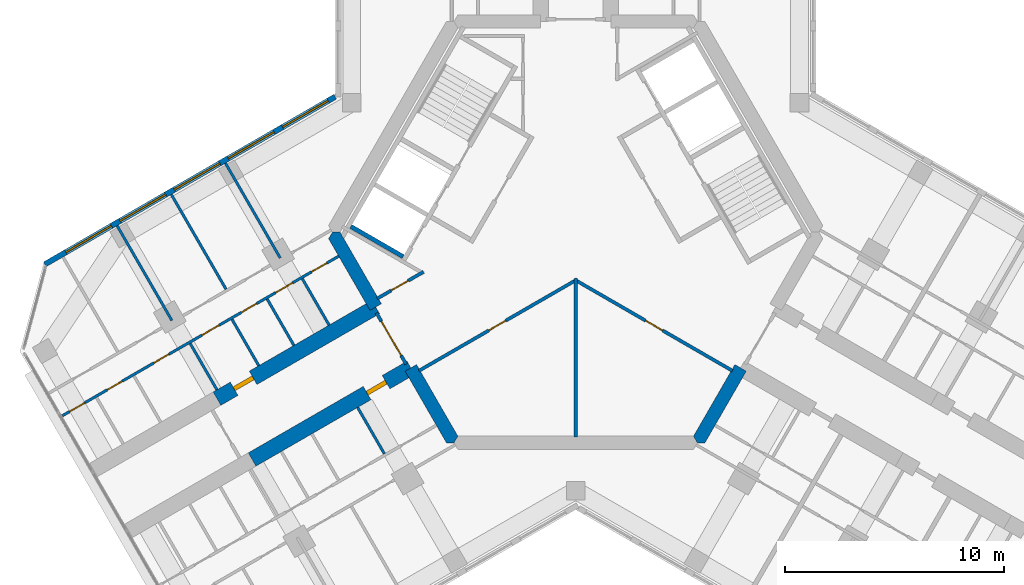
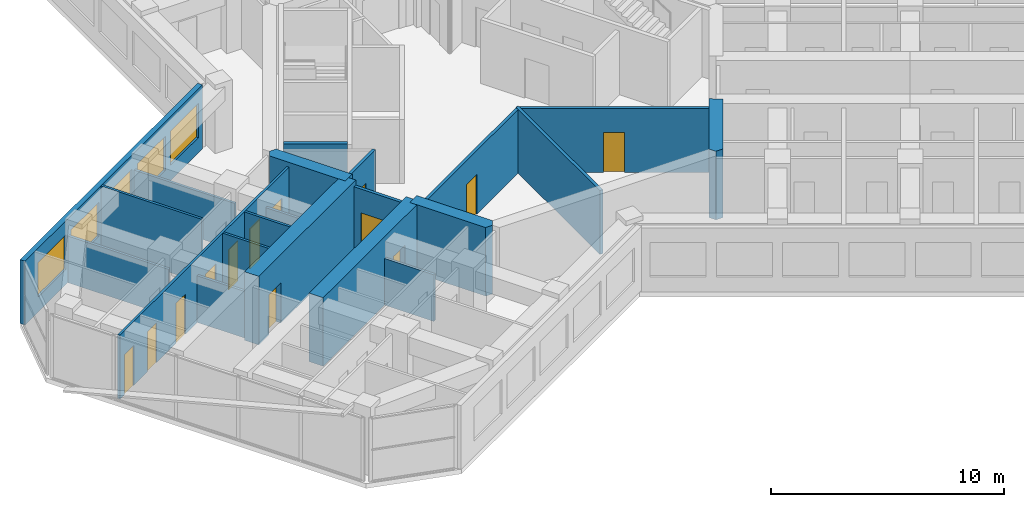
# One storey, part 9 of 16: 21 walls, 13 doors, 5 windows, 18 openings.
"""IFC4 building model written with IfcOpenShell, lengths in metres."""

from ifc_helpers import new_model, si_unit, direction, frame, frame_2d, origin, place, context, subcontext, project, spatial, polyline, rectangle, outline, extrude, material, layer, layer_set, type_object, element, fill, save


model = new_model("IFC4")

# Units and contexts
model_context = context("Model", 3, precision=1e-05, world=origin(), true_north=direction((0.0, 1.0)))
body_context = subcontext(model_context, "Body", "Model", "MODEL_VIEW")
ifc_project = project(units=[si_unit("LENGTHUNIT", "METRE"), si_unit("AREAUNIT", "SQUARE_METRE"), si_unit("VOLUMEUNIT", "CUBIC_METRE"), si_unit("PLANEANGLEUNIT", "RADIAN"), si_unit("MASSUNIT", "GRAM", prefix="KILO")], contexts=[model_context])

# Site, building, storey
site_placement = place(None, origin())
site = spatial("IfcSite", under=ifc_project, at=site_placement, CompositionType="ELEMENT")
building_placement = place(site_placement, origin())
building = spatial("IfcBuilding", under=site, at=building_placement, Name="Kosmar Iwan School Tower", CompositionType="ELEMENT")
storey_placement = place(building_placement, frame((0.0, 0.0, 253.199951171875)))
storey = spatial("IfcBuildingStorey", under=building, at=storey_placement, Name="L64", CompositionType="ELEMENT", Elevation=253.199951171875)

# Wall
ifc_material_1 = material(Name="Gypsum board on steel studs, fire-rated", Category="steel")
ifc_layer_1 = layer(ifc_material_1, 0.14990234375)
ifc_layer_set_1 = layer_set([ifc_layer_1], Name="Core room partition 150")
wall_type_1 = type_object("IfcWallType", Name="Core room partition 150", PredefinedType="PARTITIONING", material=ifc_layer_set_1)
wall_1_placement = place(storey_placement, frame((0.0, -9.344970703125, 0.0), z_axis=(0.0, 0.0, 1.0), x_axis=(0.0, 1.0, 0.0)))
element("IfcWall", 1, at=wall_1_placement, inside=storey, type_object=wall_type_1, Name="Core room partition L64-CW5", PredefinedType="PARTITIONING", context=body_context, shape_type="SweptSolid", body=[
    extrude(rectangle(XDim=7.22607421875, YDim=0.14990234375, at=frame_2d((3.613037109375, 0.0))), origin(), (0.0, 0.0, 1.0), 3.35009765625),
])

# Wall, opening, door
wall_2_placement = place(storey_placement, frame((-0.06494140625, -2.156494140625, 0.0), z_axis=(0.0, 0.0, 1.0), x_axis=(0.866034159509, -0.499984834333, 0.0)))
wall_2 = element("IfcWall", 2, at=wall_2_placement, inside=storey, type_object=wall_type_1, Name="Core room partition L64-CW6", PredefinedType="PARTITIONING", context=body_context, shape_type="SweptSolid", body=[
    extrude(rectangle(XDim=8.322998046875, YDim=0.14990234375, at=frame_2d((4.16162109375, 0.0))), origin(), (0.0, 0.0, 1.0), 3.35009765625),
])
opening_1_placement = place(wall_2_placement, frame((3.7470703125, 0.0, 0.0)))
opening_1 = element("IfcOpeningElement", 3, at=opening_1_placement, cuts=wall_2, Name="Opening D14", PredefinedType="OPENING", context=body_context, shape_type="SweptSolid", body=[
    extrude(rectangle(XDim=0.89990234375, YDim=2.10009765625, at=frame_2d((0.449951171875, 1.050048828125))), frame((0.0, 0.0869140625, 0.0), z_axis=(0.0, -1.0, 0.0), x_axis=(1.0, 0.0, 0.0)), (0.0, 0.0, 1.0), 0.173828125),
])
ifc_material_2 = material(Name="Timber fire door in steel frame", Category="steel")
door_type_1 = type_object("IfcDoorType", Name="Core room door 900x2100", OperationType="SINGLE_SWING_LEFT", PredefinedType="DOOR", material=ifc_material_2)
door_1_placement = place(opening_1_placement, origin())
door_1 = element("IfcDoor", 4, at=door_1_placement, inside=storey, type_object=door_type_1, Name="Refuse and recycling room door L64 3", OperationType="SINGLE_SWING_RIGHT", OverallHeight=2.10009765625, OverallWidth=0.89990234375, PredefinedType="DOOR", context=body_context, shape_type="SweptSolid", body=[
    extrude(rectangle(XDim=0.89990234375, YDim=2.10009765625, at=frame_2d((0.449951171875, 1.050048828125))), frame((0.0, 0.02490234375, 0.0), z_axis=(0.0, -1.0, 0.0), x_axis=(1.0, 0.0, 0.0)), (0.0, 0.0, 1.0), 0.050048828125),
])
fill(opening_1, door_1)

wall_3_placement = place(storey_placement, frame((-7.14306640625, -6.31787109375, 0.0), z_axis=(0.0, 0.0, 1.0), x_axis=(0.866034159509, 0.499984834333, 0.0)))
wall_3 = element("IfcWall", 5, at=wall_3_placement, inside=storey, type_object=wall_type_1, Name="Core room partition L64-CW7", PredefinedType="PARTITIONING", context=body_context, shape_type="SweptSolid", body=[
    extrude(rectangle(XDim=8.322998046875, YDim=0.14990234375, at=frame_2d((4.16162109375, 0.0))), origin(), (0.0, 0.0, 1.0), 3.35009765625),
])
opening_2_placement = place(wall_3_placement, frame((3.677001953125, 0.0, 0.0)))
opening_2 = element("IfcOpeningElement", 6, at=opening_2_placement, cuts=wall_3, Name="Opening D14", PredefinedType="OPENING", context=body_context, shape_type="SweptSolid", body=[
    extrude(rectangle(XDim=0.89990234375, YDim=2.10009765625, at=frame_2d((0.449951171875, 1.050048828125))), frame((0.0, 0.0869140625, 0.0), z_axis=(0.0, -1.0, 0.0), x_axis=(1.0, 0.0, 0.0)), (0.0, 0.0, 1.0), 0.173828125),
])
door_2_placement = place(opening_2_placement, origin())
door_2 = element("IfcDoor", 7, at=door_2_placement, inside=storey, type_object=door_type_1, Name="Bulky waste store door L64 4", OperationType="SINGLE_SWING_LEFT", OverallHeight=2.10009765625, OverallWidth=0.89990234375, PredefinedType="DOOR", context=body_context, shape_type="SweptSolid", body=[
    extrude(rectangle(XDim=0.89990234375, YDim=2.10009765625, at=frame_2d((0.449951171875, 1.050048828125))), frame((0.0, 0.02490234375, 0.0), z_axis=(0.0, -1.0, 0.0), x_axis=(1.0, 0.0, 0.0)), (0.0, 0.0, 1.0), 0.050048828125),
])
fill(opening_2, door_2)

wall_4_placement = place(storey_placement, frame((-6.93505859375, -1.81005859375, 0.0), z_axis=(0.0, 0.0, 1.0), x_axis=(-0.86601855109, -0.500011869027, 0.0)))
wall_4 = element("IfcWall", 8, at=wall_4_placement, inside=storey, type_object=wall_type_1, Name="Core room partition L64-CW11", PredefinedType="PARTITIONING", context=body_context, shape_type="SweptSolid", body=[
    extrude(rectangle(XDim=2.43408203125, YDim=0.14990234375, at=frame_2d((1.217041015625, 0.0))), origin(), (0.0, 0.0, 1.0), 3.35009765625),
])
opening_3_placement = place(wall_4_placement, frame((0.802001953125, 0.0, 0.0)))
opening_3 = element("IfcOpeningElement", 9, at=opening_3_placement, cuts=wall_4, Name="Opening D14", PredefinedType="OPENING", context=body_context, shape_type="SweptSolid", body=[
    extrude(rectangle(XDim=0.89990234375, YDim=2.10009765625, at=frame_2d((0.449951171875, 1.050048828125))), frame((0.0, 0.0869140625, 0.0), z_axis=(0.0, -1.0, 0.0), x_axis=(1.0, 0.0, 0.0)), (0.0, 0.0, 1.0), 0.173828125),
])
door_3_placement = place(opening_3_placement, origin())
door_3 = element("IfcDoor", 10, at=door_3_placement, inside=storey, type_object=door_type_1, Name="Communications room door L64 6", OperationType="SINGLE_SWING_RIGHT", OverallHeight=2.10009765625, OverallWidth=0.89990234375, PredefinedType="DOOR", context=body_context, shape_type="SweptSolid", body=[
    extrude(rectangle(XDim=0.89990234375, YDim=2.10009765625, at=frame_2d((0.449951171875, 1.050048828125))), frame((0.0, 0.02490234375, 0.0), z_axis=(0.0, -1.0, 0.0), x_axis=(1.0, 0.0, 0.0)), (0.0, 0.0, 1.0), 0.050048828125),
])
fill(opening_3, door_3)

# Walls
ifc_material_3 = material(Name="Concrete C50/60", Category="concrete")
ifc_layer_2 = layer(ifc_material_3, 0.60009765625)
ifc_layer_set_2 = layer_set([ifc_layer_2], Name="Core wall 600")
wall_type_2 = type_object("IfcWallType", Name="Core wall 600", PredefinedType="SHEAR", material=ifc_layer_set_2)
wall_5_placement = place(storey_placement, origin())
element("IfcWall", 11, at=wall_5_placement, inside=storey, type_object=wall_type_2, Name="Core wall F210a", PredefinedType="SHEAR", context=body_context, shape_type="SweptSolid", body=[
    extrude(outline(polyline([(-9.37353515625, -3.564453125), (-8.85400390625, -3.264404296875), (-10.73876953125, 0.0), (-11.085205078125, 0.0), (-11.25830078125, -0.300048828125), (-9.37353515625, -3.564453125)])), origin(), (0.0, 0.0, 1.0), 3.60009765625),
])
wall_6_placement = place(storey_placement, origin())
element("IfcWall", 12, at=wall_6_placement, inside=storey, type_object=wall_type_2, Name="Core wall F210b", PredefinedType="SHEAR", context=body_context, shape_type="SweptSolid", body=[
    extrude(outline(polyline([(-5.888916015625, -9.60009765625), (-5.54248046875, -9.60009765625), (-5.369384765625, -9.300048828125), (-7.254150390625, -6.03564453125), (-7.773681640625, -6.335693359375), (-5.888916015625, -9.60009765625)])), origin(), (0.0, 0.0, 1.0), 3.60009765625),
])
wall_7_placement = place(storey_placement, origin())
element("IfcWall", 13, at=wall_7_placement, inside=storey, type_object=wall_type_2, Name="Core wall F330a", PredefinedType="SHEAR", context=body_context, shape_type="SweptSolid", body=[
    extrude(outline(polyline([(5.54248046875, -9.60009765625), (5.888916015625, -9.60009765625), (7.773681640625, -6.335693359375), (7.254150390625, -6.03564453125), (5.369384765625, -9.300048828125), (5.54248046875, -9.60009765625)])), origin(), (0.0, 0.0, 1.0), 3.60009765625),
])

# Wall, opening, door
ifc_material_4 = material(Name="Concrete C50/60", Category="concrete")
ifc_layer_3 = layer(ifc_material_4, 0.699951171875)
ifc_layer_set_3 = layer_set([ifc_layer_3], Name="Corridor buttress wall 700")
wall_type_3 = type_object("IfcWallType", Name="Corridor buttress wall 700", PredefinedType="SHEAR", material=ifc_layer_set_3)
wall_8_placement = place(storey_placement, frame((-7.513916015625, -6.185546875, 0.0), z_axis=(0.0, 0.0, 1.0), x_axis=(-0.866019549707, -0.500010139422, 0.0)))
wall_8 = element("IfcWall", 14, at=wall_8_placement, inside=storey, type_object=wall_type_3, Name="Corridor wall BL", PredefinedType="SHEAR", context=body_context, shape_type="SweptSolid", body=[
    extrude(rectangle(XDim=8.349853515625, YDim=0.699951171875, at=frame_2d((4.1748046875, 0.0))), origin(), (0.0, 0.0, 1.0), 3.60009765625),
])
opening_4_placement = place(wall_8_placement, frame((1.300048828125, 0.0, 0.0)))
opening_4 = element("IfcOpeningElement", 15, at=opening_4_placement, cuts=wall_8, Name="Opening D1", PredefinedType="OPENING", context=body_context, shape_type="SweptSolid", body=[
    extrude(rectangle(XDim=1.0, YDim=2.10009765625, at=frame_2d((0.5, 1.050048828125))), frame((0.0, 0.362060546875, 0.0), z_axis=(0.0, -1.0, 0.0), x_axis=(1.0, 0.0, 0.0)), (0.0, 0.0, 1.0), 0.723876953125),
])
ifc_material_5 = material(Name="Timber fire door in steel frame", Category="steel")
door_type_2 = type_object("IfcDoorType", Name="Flat entrance door 1000x2100", OperationType="SINGLE_SWING_LEFT", PredefinedType="DOOR", material=ifc_material_5)
door_4_placement = place(opening_4_placement, origin())
door_4 = element("IfcDoor", 16, at=door_4_placement, inside=storey, type_object=door_type_2, Name="Flat L64-BL1 entrance door", OperationType="SINGLE_SWING_RIGHT", OverallHeight=2.10009765625, OverallWidth=1.0, PredefinedType="DOOR", context=body_context, shape_type="SweptSolid", body=[
    extrude(rectangle(XDim=1.0, YDim=2.10009765625, at=frame_2d((0.5, 1.050048828125))), frame((0.0, 0.10009765625, 0.0), z_axis=(0.0, -1.0, 0.0), x_axis=(1.0, 0.0, 0.0)), (0.0, 0.0, 1.0), 0.199951171875),
])
fill(opening_4, door_4)

wall_9_placement = place(storey_placement, frame((-9.11376953125, -3.414306640625, 0.0), z_axis=(0.0, 0.0, 1.0), x_axis=(-0.866026859388, -0.499997478812, 0.0)))
wall_9 = element("IfcWall", 17, at=wall_9_placement, inside=storey, type_object=wall_type_3, Name="Corridor wall BR", PredefinedType="SHEAR", context=body_context, shape_type="SweptSolid", body=[
    extrude(rectangle(XDim=8.35009765625, YDim=0.699951171875, at=frame_2d((4.175048828125, 0.0))), origin(), (0.0, 0.0, 1.0), 3.60009765625),
])
opening_5_placement = place(wall_9_placement, frame((6.449951171875, 0.0, 0.0)))
opening_5 = element("IfcOpeningElement", 18, at=opening_5_placement, cuts=wall_9, Name="Opening D1", PredefinedType="OPENING", context=body_context, shape_type="SweptSolid", body=[
    extrude(rectangle(XDim=1.0, YDim=2.10009765625, at=frame_2d((0.5, 1.050048828125))), frame((0.0, 0.362060546875, 0.0), z_axis=(0.0, -1.0, 0.0), x_axis=(1.0, 0.0, 0.0)), (0.0, 0.0, 1.0), 0.723876953125),
])
door_5_placement = place(opening_5_placement, origin())
door_5 = element("IfcDoor", 19, at=door_5_placement, inside=storey, type_object=door_type_2, Name="Flat L64-BR1 entrance door", OperationType="SINGLE_SWING_RIGHT", OverallHeight=2.10009765625, OverallWidth=1.0, PredefinedType="DOOR", context=body_context, shape_type="SweptSolid", body=[
    extrude(rectangle(XDim=1.0, YDim=2.10009765625, at=frame_2d((0.5, 1.050048828125))), frame((0.0, 0.10009765625, 0.0), z_axis=(0.0, -1.0, 0.0), x_axis=(1.0, 0.0, 0.0)), (0.0, 0.0, 1.0), 0.199951171875),
])
fill(opening_5, door_5)

ifc_material_6 = material(Name="Steel framed glazed screen", Category="steel")
ifc_layer_4 = layer(ifc_material_6, 0.14990234375)
ifc_layer_set_4 = layer_set([ifc_layer_4], Name="Corridor screen wall 150")
wall_type_4 = type_object("IfcWallType", Name="Corridor screen wall 150", PredefinedType="PARTITIONING", material=ifc_layer_set_4)
wall_10_placement = place(storey_placement, frame((-9.075439453125, -3.680908203125, 0.0), z_axis=(0.0, 0.0, 1.0), x_axis=(0.500048589285, -0.86599734893, 0.0)))
wall_10 = element("IfcWall", 20, at=wall_10_placement, inside=storey, type_object=wall_type_4, Name="Corridor screen B L64", PredefinedType="PARTITIONING", context=body_context, shape_type="SweptSolid", body=[
    extrude(rectangle(XDim=2.699951171875, YDim=0.14990234375, at=frame_2d((1.35009765625, 0.0))), origin(), (0.0, 0.0, 1.0), 3.35009765625),
])
opening_6_placement = place(wall_10_placement, frame((0.449951171875, 0.0, 0.0)))
opening_6 = element("IfcOpeningElement", 21, at=opening_6_placement, cuts=wall_10, Name="Opening D9", PredefinedType="OPENING", context=body_context, shape_type="SweptSolid", body=[
    extrude(rectangle(XDim=1.800048828125, YDim=2.10009765625, at=frame_2d((0.89990234375, 1.050048828125))), frame((0.0, 0.0869140625, 0.0), z_axis=(0.0, -1.0, 0.0), x_axis=(1.0, 0.0, 0.0)), (0.0, 0.0, 1.0), 0.173828125),
])
ifc_material_7 = material(Name="Steel framed glazed smoke door", Category="steel")
door_type_3 = type_object("IfcDoorType", Name="Corridor smoke door pair 1800x2100", OperationType="DOUBLE_DOOR_DOUBLE_SWING", PredefinedType="DOOR", material=ifc_material_7)
door_6_placement = place(opening_6_placement, origin())
door_6 = element("IfcDoor", 22, at=door_6_placement, inside=storey, type_object=door_type_3, Name="Corridor doors B L64", OperationType="DOUBLE_DOOR_DOUBLE_SWING", OverallHeight=2.10009765625, OverallWidth=1.800048828125, PredefinedType="DOOR", context=body_context, shape_type="SweptSolid", body=[
    extrude(rectangle(XDim=1.800048828125, YDim=2.10009765625, at=frame_2d((0.89990234375, 1.050048828125))), frame((0.0, 0.02490234375, 0.0), z_axis=(0.0, -1.0, 0.0), x_axis=(1.0, 0.0, 0.0)), (0.0, 0.0, 1.0), 0.050048828125),
])
fill(opening_6, door_6)

# Wall
ifc_material_8 = material(Name="Gypsum board on steel studs", Category="steel")
ifc_layer_5 = layer(ifc_material_8, 0.1201171875)
ifc_layer_set_5 = layer_set([ifc_layer_5], Name="Dwelling partition 120")
wall_type_5 = type_object("IfcWallType", Name="Dwelling partition 120", PredefinedType="PARTITIONING", material=ifc_layer_set_5)
wall_11_placement = place(storey_placement, frame((-9.93701171875, -7.98876953125, 0.0), z_axis=(0.0, 0.0, 1.0), x_axis=(0.500077547548, -0.865980627057, 0.0)))
element("IfcWall", 23, at=wall_11_placement, inside=storey, type_object=wall_type_5, Name="Partition L64-BL1-Y1", PredefinedType="PARTITIONING", context=body_context, shape_type="SweptSolid", body=[
    extrude(rectangle(XDim=2.43994140625, YDim=0.1201171875, at=frame_2d((1.219970703125, 0.0))), origin(), (0.0, 0.0, 1.0), 2.449951171875),
])

# Wall, openings, doors
wall_12_placement = place(storey_placement, frame((-10.798583984375, -1.09619140625, 0.0), z_axis=(0.0, 0.0, 1.0), x_axis=(-0.866028217562, -0.499995126363, 0.0)))
wall_12 = element("IfcWall", 24, at=wall_12_placement, inside=storey, type_object=wall_type_5, Name="Partition L64-BR1-W1", PredefinedType="PARTITIONING", context=body_context, shape_type="SweptSolid", body=[
    extrude(rectangle(XDim=14.545166015625, YDim=0.1201171875, at=frame_2d((7.2724609375, 0.0))), origin(), (0.0, 0.0, 1.0), 3.35009765625),
])
opening_7_placement = place(wall_12_placement, frame((0.625, 0.0, 0.0)))
opening_7 = element("IfcOpeningElement", 25, at=opening_7_placement, cuts=wall_12, Name="Opening D3", PredefinedType="OPENING", context=body_context, shape_type="SweptSolid", body=[
    extrude(rectangle(XDim=0.800048828125, YDim=2.10009765625, at=frame_2d((0.39990234375, 1.050048828125))), frame((0.0, 0.072021484375, 0.0), z_axis=(0.0, -1.0, 0.0), x_axis=(1.0, 0.0, 0.0)), (0.0, 0.0, 1.0), 0.14404296875),
])
opening_8_placement = place(wall_12_placement, frame((2.425048828125, 0.0, 0.0)))
opening_8 = element("IfcOpeningElement", 26, at=opening_8_placement, cuts=wall_12, Name="Opening D2", PredefinedType="OPENING", context=body_context, shape_type="SweptSolid", body=[
    extrude(rectangle(XDim=0.89990234375, YDim=2.10009765625, at=frame_2d((0.449951171875, 1.050048828125))), frame((0.0, 0.072021484375, 0.0), z_axis=(0.0, -1.0, 0.0), x_axis=(1.0, 0.0, 0.0)), (0.0, 0.0, 1.0), 0.14404296875),
])
opening_9_placement = place(wall_12_placement, frame((4.324951171875, 0.0, 0.0)))
opening_9 = element("IfcOpeningElement", 27, at=opening_9_placement, cuts=wall_12, Name="Opening D3", PredefinedType="OPENING", context=body_context, shape_type="SweptSolid", body=[
    extrude(rectangle(XDim=0.800048828125, YDim=2.10009765625, at=frame_2d((0.39990234375, 1.050048828125))), frame((0.0, 0.072021484375, 0.0), z_axis=(0.0, -1.0, 0.0), x_axis=(1.0, 0.0, 0.0)), (0.0, 0.0, 1.0), 0.14404296875),
])
opening_10_placement = place(wall_12_placement, frame((6.300048828125, 0.0, 0.0)))
opening_10 = element("IfcOpeningElement", 28, at=opening_10_placement, cuts=wall_12, Name="Opening D2", PredefinedType="OPENING", context=body_context, shape_type="SweptSolid", body=[
    extrude(rectangle(XDim=0.89990234375, YDim=2.10009765625, at=frame_2d((0.449951171875, 1.050048828125))), frame((0.0, 0.072021484375, 0.0), z_axis=(0.0, -1.0, 0.0), x_axis=(1.0, 0.0, 0.0)), (0.0, 0.0, 1.0), 0.14404296875),
])
opening_11_placement = place(wall_12_placement, frame((8.928466796875, 0.0, 0.0)))
opening_11 = element("IfcOpeningElement", 29, at=opening_11_placement, cuts=wall_12, Name="Opening D3", PredefinedType="OPENING", context=body_context, shape_type="SweptSolid", body=[
    extrude(rectangle(XDim=0.800048828125, YDim=2.10009765625, at=frame_2d((0.39990234375, 1.050048828125))), frame((0.0, 0.072021484375, 0.0), z_axis=(0.0, -1.0, 0.0), x_axis=(1.0, 0.0, 0.0)), (0.0, 0.0, 1.0), 0.14404296875),
])
opening_12_placement = place(wall_12_placement, frame((11.392822265625, 0.0, 0.0)))
opening_12 = element("IfcOpeningElement", 30, at=opening_12_placement, cuts=wall_12, Name="Opening D3", PredefinedType="OPENING", context=body_context, shape_type="SweptSolid", body=[
    extrude(rectangle(XDim=0.800048828125, YDim=2.10009765625, at=frame_2d((0.39990234375, 1.050048828125))), frame((0.0, 0.072021484375, 0.0), z_axis=(0.0, -1.0, 0.0), x_axis=(1.0, 0.0, 0.0)), (0.0, 0.0, 1.0), 0.14404296875),
])
opening_13_placement = place(wall_12_placement, frame((13.3642578125, 0.0, 0.0)))
opening_13 = element("IfcOpeningElement", 31, at=opening_13_placement, cuts=wall_12, Name="Opening D3", PredefinedType="OPENING", context=body_context, shape_type="SweptSolid", body=[
    extrude(rectangle(XDim=0.800048828125, YDim=2.10009765625, at=frame_2d((0.39990234375, 1.050048828125))), frame((0.0, 0.072021484375, 0.0), z_axis=(0.0, -1.0, 0.0), x_axis=(1.0, 0.0, 0.0)), (0.0, 0.0, 1.0), 0.14404296875),
])
ifc_material_9 = material(Name="Timber door in timber frame", Category="wood")
door_type_4 = type_object("IfcDoorType", Name="Internal door 900x2100", OperationType="SINGLE_SWING_LEFT", PredefinedType="DOOR", material=ifc_material_9)
door_7_placement = place(opening_8_placement, origin())
door_7 = element("IfcDoor", 32, at=door_7_placement, inside=storey, type_object=door_type_4, Name="Pantry door L64-BR1-S2", OperationType="SINGLE_SWING_RIGHT", OverallHeight=2.10009765625, OverallWidth=0.89990234375, PredefinedType="DOOR", context=body_context, shape_type="SweptSolid", body=[
    extrude(rectangle(XDim=0.89990234375, YDim=2.10009765625, at=frame_2d((0.449951171875, 1.050048828125))), frame((0.0, 0.02490234375, 0.0), z_axis=(0.0, -1.0, 0.0), x_axis=(1.0, 0.0, 0.0)), (0.0, 0.0, 1.0), 0.050048828125),
])
fill(opening_8, door_7)
door_8_placement = place(opening_10_placement, origin())
door_8 = element("IfcDoor", 33, at=door_8_placement, inside=storey, type_object=door_type_4, Name="Entrance hall door L64-BR1-S4", OperationType="SINGLE_SWING_RIGHT", OverallHeight=2.10009765625, OverallWidth=0.89990234375, PredefinedType="DOOR", context=body_context, shape_type="SweptSolid", body=[
    extrude(rectangle(XDim=0.89990234375, YDim=2.10009765625, at=frame_2d((0.449951171875, 1.050048828125))), frame((0.0, 0.02490234375, 0.0), z_axis=(0.0, -1.0, 0.0), x_axis=(1.0, 0.0, 0.0)), (0.0, 0.0, 1.0), 0.050048828125),
])
fill(opening_10, door_8)
ifc_material_10 = material(Name="Timber door in timber frame", Category="wood")
door_type_5 = type_object("IfcDoorType", Name="Sanitary room door 800x2100", OperationType="SINGLE_SWING_LEFT", PredefinedType="DOOR", material=ifc_material_10)
door_9_placement = place(opening_7_placement, origin())
door_9 = element("IfcDoor", 34, at=door_9_placement, inside=storey, type_object=door_type_5, Name="Store door L64-BR1-S1", OperationType="SINGLE_SWING_LEFT", OverallHeight=2.10009765625, OverallWidth=0.800048828125, PredefinedType="DOOR", context=body_context, shape_type="SweptSolid", body=[
    extrude(rectangle(XDim=0.800048828125, YDim=2.10009765625, at=frame_2d((0.39990234375, 1.050048828125))), frame((0.0, 0.02490234375, 0.0), z_axis=(0.0, -1.0, 0.0), x_axis=(1.0, 0.0, 0.0)), (0.0, 0.0, 1.0), 0.050048828125),
])
fill(opening_7, door_9)
door_10_placement = place(opening_9_placement, origin())
door_10 = element("IfcDoor", 35, at=door_10_placement, inside=storey, type_object=door_type_5, Name="Grandparents' shower room door L64-BR1-S3", OperationType="SINGLE_SWING_LEFT", OverallHeight=2.10009765625, OverallWidth=0.800048828125, PredefinedType="DOOR", context=body_context, shape_type="SweptSolid", body=[
    extrude(rectangle(XDim=0.800048828125, YDim=2.10009765625, at=frame_2d((0.39990234375, 1.050048828125))), frame((0.0, 0.02490234375, 0.0), z_axis=(0.0, -1.0, 0.0), x_axis=(1.0, 0.0, 0.0)), (0.0, 0.0, 1.0), 0.050048828125),
])
fill(opening_9, door_10)
door_11_placement = place(opening_11_placement, origin())
door_11 = element("IfcDoor", 36, at=door_11_placement, inside=storey, type_object=door_type_5, Name="Bathroom door L64-BR1-S5", OperationType="SINGLE_SWING_LEFT", OverallHeight=2.10009765625, OverallWidth=0.800048828125, PredefinedType="DOOR", context=body_context, shape_type="SweptSolid", body=[
    extrude(rectangle(XDim=0.800048828125, YDim=2.10009765625, at=frame_2d((0.39990234375, 1.050048828125))), frame((0.0, 0.02490234375, 0.0), z_axis=(0.0, -1.0, 0.0), x_axis=(1.0, 0.0, 0.0)), (0.0, 0.0, 1.0), 0.050048828125),
])
fill(opening_11, door_11)
door_12_placement = place(opening_12_placement, origin())
door_12 = element("IfcDoor", 37, at=door_12_placement, inside=storey, type_object=door_type_5, Name="Shower room door L64-BR1-S6", OperationType="SINGLE_SWING_RIGHT", OverallHeight=2.10009765625, OverallWidth=0.800048828125, PredefinedType="DOOR", context=body_context, shape_type="SweptSolid", body=[
    extrude(rectangle(XDim=0.800048828125, YDim=2.10009765625, at=frame_2d((0.39990234375, 1.050048828125))), frame((0.0, 0.02490234375, 0.0), z_axis=(0.0, -1.0, 0.0), x_axis=(1.0, 0.0, 0.0)), (0.0, 0.0, 1.0), 0.050048828125),
])
fill(opening_12, door_12)
door_13_placement = place(opening_13_placement, origin())
door_13 = element("IfcDoor", 38, at=door_13_placement, inside=storey, type_object=door_type_5, Name="WC door L64-BR1-S7", OperationType="SINGLE_SWING_RIGHT", OverallHeight=2.10009765625, OverallWidth=0.800048828125, PredefinedType="DOOR", context=body_context, shape_type="SweptSolid", body=[
    extrude(rectangle(XDim=0.800048828125, YDim=2.10009765625, at=frame_2d((0.39990234375, 1.050048828125))), frame((0.0, 0.02490234375, 0.0), z_axis=(0.0, -1.0, 0.0), x_axis=(1.0, 0.0, 0.0)), (0.0, 0.0, 1.0), 0.050048828125),
])
fill(opening_13, door_13)

# Walls
wall_13_placement = place(storey_placement, frame((-13.4638671875, -1.179931640625, 0.0), z_axis=(0.0, 0.0, 1.0), x_axis=(-0.499975153383, 0.86603974851, 0.0)))
element("IfcWall", 39, at=wall_13_placement, inside=storey, type_object=wall_type_5, Name="Partition L64-BR1-X1", PredefinedType="PARTITIONING", context=body_context, shape_type="SweptSolid", body=[
    extrude(rectangle(XDim=4.989990234375, YDim=0.1201171875, at=frame_2d((2.4951171875, 0.0))), origin(), (0.0, 0.0, 1.0), 2.449951171875),
])
wall_14_placement = place(storey_placement, frame((-15.931884765625, -2.60498046875, 0.0), z_axis=(0.0, 0.0, 1.0), x_axis=(-0.500011847778, 0.866018563358, 0.0)))
element("IfcWall", 40, at=wall_14_placement, inside=storey, type_object=wall_type_5, Name="Partition L64-BR1-X2", PredefinedType="PARTITIONING", context=body_context, shape_type="SweptSolid", body=[
    extrude(rectangle(XDim=4.990234375, YDim=0.1201171875, at=frame_2d((2.4951171875, 0.0))), origin(), (0.0, 0.0, 1.0), 3.35009765625),
])
wall_15_placement = place(storey_placement, frame((-18.400146484375, -4.030029296875, 0.0), z_axis=(0.0, 0.0, 1.0), x_axis=(-0.500011847778, 0.866018563358, 0.0)))
element("IfcWall", 41, at=wall_15_placement, inside=storey, type_object=wall_type_5, Name="Partition L64-BR1-X3", PredefinedType="PARTITIONING", context=body_context, shape_type="SweptSolid", body=[
    extrude(rectangle(XDim=4.990234375, YDim=0.1201171875, at=frame_2d((2.4951171875, 0.0))), origin(), (0.0, 0.0, 1.0), 2.449951171875),
])
wall_16_placement = place(storey_placement, frame((-11.2373046875, -4.236328125, 0.0), z_axis=(0.0, 0.0, 1.0), x_axis=(-0.500034220881, 0.866005645448, 0.0)))
element("IfcWall", 42, at=wall_16_placement, inside=storey, type_object=wall_type_5, Name="Partition L64-BR1-Y1", PredefinedType="PARTITIONING", context=body_context, shape_type="SweptSolid", body=[
    extrude(rectangle(XDim=2.440185546875, YDim=0.1201171875, at=frame_2d((1.22021484375, 0.0))), origin(), (0.0, 0.0, 1.0), 2.449951171875),
])
wall_17_placement = place(storey_placement, frame((-12.839599609375, -5.161376953125, 0.0), z_axis=(0.0, 0.0, 1.0), x_axis=(-0.499959183527, 0.866048967903, 0.0)))
element("IfcWall", 43, at=wall_17_placement, inside=storey, type_object=wall_type_5, Name="Partition L64-BR1-Y2", PredefinedType="PARTITIONING", context=body_context, shape_type="SweptSolid", body=[
    extrude(rectangle(XDim=2.440185546875, YDim=0.1201171875, at=frame_2d((1.22021484375, 0.0))), origin(), (0.0, 0.0, 1.0), 3.35009765625),
])
wall_18_placement = place(storey_placement, frame((-14.441650390625, -6.086181640625, 0.0), z_axis=(0.0, 0.0, 1.0), x_axis=(-0.500002508028, 0.866023955769, 0.0)))
element("IfcWall", 44, at=wall_18_placement, inside=storey, type_object=wall_type_5, Name="Partition L64-BR1-Y3", PredefinedType="PARTITIONING", context=body_context, shape_type="SweptSolid", body=[
    extrude(rectangle(XDim=2.43994140625, YDim=0.1201171875, at=frame_2d((1.219970703125, 0.0))), origin(), (0.0, 0.0, 1.0), 3.35009765625),
])
wall_19_placement = place(storey_placement, frame((-16.346923828125, -7.186279296875, 0.0), z_axis=(0.0, 0.0, 1.0), x_axis=(-0.500002508028, 0.866023955769, 0.0)))
element("IfcWall", 45, at=wall_19_placement, inside=storey, type_object=wall_type_5, Name="Partition L64-BR1-Y4", PredefinedType="PARTITIONING", context=body_context, shape_type="SweptSolid", body=[
    extrude(rectangle(XDim=2.43994140625, YDim=0.1201171875, at=frame_2d((1.219970703125, 0.0))), origin(), (0.0, 0.0, 1.0), 2.449951171875),
])

# Wall, openings, windows
ifc_material_11 = material(Name="Black aluminium rainscreen on insulated framing", Category="aluminium")
ifc_layer_6 = layer(ifc_material_11, 0.25)
ifc_layer_set_6 = layer_set([ifc_layer_6], Name="External wall rainscreen 250")
wall_type_6 = type_object("IfcWallType", Name="External wall rainscreen 250", PredefinedType="SOLIDWALL", material=ifc_layer_set_6)
wall_20_placement = place(storey_placement, frame((-10.962890625, 6.170166015625, 0.0), z_axis=(0.0, 0.0, 1.0), x_axis=(-0.866025637253, -0.499999595621, 0.0)))
wall_20 = element("IfcWall", 46, at=wall_20_placement, inside=storey, type_object=wall_type_6, Name="External wall BR L64", PredefinedType="SOLIDWALL", context=body_context, shape_type="SweptSolid", body=[
    extrude(rectangle(XDim=15.2763671875, YDim=0.25, at=frame_2d((7.63818359375, 0.0))), origin(), (0.0, 0.0, 1.0), 3.35009765625),
])
opening_14_placement = place(wall_20_placement, frame((0.365966796875, 0.0, 0.800048828125)))
opening_14 = element("IfcOpeningElement", 47, at=opening_14_placement, cuts=wall_20, Name="Opening W5", PredefinedType="OPENING", context=body_context, shape_type="SweptSolid", body=[
    extrude(rectangle(XDim=2.39990234375, YDim=1.800048828125, at=frame_2d((1.199951171875, 0.89990234375))), frame((0.0, 0.136962890625, 0.0), z_axis=(0.0, -1.0, 0.0), x_axis=(1.0, 0.0, 0.0)), (0.0, 0.0, 1.0), 0.27392578125),
])
opening_15_placement = place(wall_20_placement, frame((3.216064453125, 0.0, 0.800048828125)))
opening_15 = element("IfcOpeningElement", 48, at=opening_15_placement, cuts=wall_20, Name="Opening W5", PredefinedType="OPENING", context=body_context, shape_type="SweptSolid", body=[
    extrude(rectangle(XDim=2.39990234375, YDim=1.800048828125, at=frame_2d((1.199951171875, 0.89990234375))), frame((0.0, 0.136962890625, 0.0), z_axis=(0.0, -1.0, 0.0), x_axis=(1.0, 0.0, 0.0)), (0.0, 0.0, 1.0), 0.27392578125),
])
opening_16_placement = place(wall_20_placement, frame((6.06591796875, 0.0, 0.800048828125)))
opening_16 = element("IfcOpeningElement", 49, at=opening_16_placement, cuts=wall_20, Name="Opening W5", PredefinedType="OPENING", context=body_context, shape_type="SweptSolid", body=[
    extrude(rectangle(XDim=2.39990234375, YDim=1.800048828125, at=frame_2d((1.199951171875, 0.89990234375))), frame((0.0, 0.136962890625, 0.0), z_axis=(0.0, -1.0, 0.0), x_axis=(1.0, 0.0, 0.0)), (0.0, 0.0, 1.0), 0.27392578125),
])
opening_17_placement = place(wall_20_placement, frame((8.916015625, 0.0, 0.800048828125)))
opening_17 = element("IfcOpeningElement", 50, at=opening_17_placement, cuts=wall_20, Name="Opening W5", PredefinedType="OPENING", context=body_context, shape_type="SweptSolid", body=[
    extrude(rectangle(XDim=2.39990234375, YDim=1.800048828125, at=frame_2d((1.199951171875, 0.89990234375))), frame((0.0, 0.136962890625, 0.0), z_axis=(0.0, -1.0, 0.0), x_axis=(1.0, 0.0, 0.0)), (0.0, 0.0, 1.0), 0.27392578125),
])
opening_18_placement = place(wall_20_placement, frame((11.76611328125, 0.0, 0.800048828125)))
opening_18 = element("IfcOpeningElement", 51, at=opening_18_placement, cuts=wall_20, Name="Opening W5", PredefinedType="OPENING", context=body_context, shape_type="SweptSolid", body=[
    extrude(rectangle(XDim=2.39990234375, YDim=1.800048828125, at=frame_2d((1.199951171875, 0.89990234375))), frame((0.0, 0.136962890625, 0.0), z_axis=(0.0, -1.0, 0.0), x_axis=(1.0, 0.0, 0.0)), (0.0, 0.0, 1.0), 0.27392578125),
])
ifc_material_12 = material(Name="Black aluminium frame with dark triple glazing", Category="aluminium")
window_type = type_object("IfcWindowType", Name="Window 2400x1800", PartitioningType="SINGLE_PANEL", PredefinedType="WINDOW", material=ifc_material_12)
window_1_placement = place(opening_14_placement, origin())
window_1 = element("IfcWindow", 52, at=window_1_placement, inside=storey, type_object=window_type, Name="Window BR L64 -1", OverallHeight=1.800048828125, OverallWidth=2.39990234375, PartitioningType="SINGLE_PANEL", PredefinedType="WINDOW", context=body_context, shape_type="SweptSolid", body=[
    extrude(rectangle(XDim=2.39990234375, YDim=1.800048828125, at=frame_2d((1.199951171875, 0.89990234375))), frame((0.0, 0.030029296875, 0.0), z_axis=(0.0, -1.0, 0.0), x_axis=(1.0, 0.0, 0.0)), (0.0, 0.0, 1.0), 0.06005859375),
])
fill(opening_14, window_1)
window_2_placement = place(opening_15_placement, origin())
window_2 = element("IfcWindow", 53, at=window_2_placement, inside=storey, type_object=window_type, Name="Window BR L64 0", OverallHeight=1.800048828125, OverallWidth=2.39990234375, PartitioningType="SINGLE_PANEL", PredefinedType="WINDOW", context=body_context, shape_type="SweptSolid", body=[
    extrude(rectangle(XDim=2.39990234375, YDim=1.800048828125, at=frame_2d((1.199951171875, 0.89990234375))), frame((0.0, 0.030029296875, 0.0), z_axis=(0.0, -1.0, 0.0), x_axis=(1.0, 0.0, 0.0)), (0.0, 0.0, 1.0), 0.06005859375),
])
fill(opening_15, window_2)
window_3_placement = place(opening_16_placement, origin())
window_3 = element("IfcWindow", 54, at=window_3_placement, inside=storey, type_object=window_type, Name="Window BR L64 1", OverallHeight=1.800048828125, OverallWidth=2.39990234375, PartitioningType="SINGLE_PANEL", PredefinedType="WINDOW", context=body_context, shape_type="SweptSolid", body=[
    extrude(rectangle(XDim=2.39990234375, YDim=1.800048828125, at=frame_2d((1.199951171875, 0.89990234375))), frame((0.0, 0.030029296875, 0.0), z_axis=(0.0, -1.0, 0.0), x_axis=(1.0, 0.0, 0.0)), (0.0, 0.0, 1.0), 0.06005859375),
])
fill(opening_16, window_3)
window_4_placement = place(opening_17_placement, origin())
window_4 = element("IfcWindow", 55, at=window_4_placement, inside=storey, type_object=window_type, Name="Window BR L64 2", OverallHeight=1.800048828125, OverallWidth=2.39990234375, PartitioningType="SINGLE_PANEL", PredefinedType="WINDOW", context=body_context, shape_type="SweptSolid", body=[
    extrude(rectangle(XDim=2.39990234375, YDim=1.800048828125, at=frame_2d((1.199951171875, 0.89990234375))), frame((0.0, 0.030029296875, 0.0), z_axis=(0.0, -1.0, 0.0), x_axis=(1.0, 0.0, 0.0)), (0.0, 0.0, 1.0), 0.06005859375),
])
fill(opening_17, window_4)
window_5_placement = place(opening_18_placement, origin())
window_5 = element("IfcWindow", 56, at=window_5_placement, inside=storey, type_object=window_type, Name="Window BR L64 3", OverallHeight=1.800048828125, OverallWidth=2.39990234375, PartitioningType="SINGLE_PANEL", PredefinedType="WINDOW", context=body_context, shape_type="SweptSolid", body=[
    extrude(rectangle(XDim=2.39990234375, YDim=1.800048828125, at=frame_2d((1.199951171875, 0.89990234375))), frame((0.0, 0.030029296875, 0.0), z_axis=(0.0, -1.0, 0.0), x_axis=(1.0, 0.0, 0.0)), (0.0, 0.0, 1.0), 0.06005859375),
])
fill(opening_18, window_5)

# Wall
ifc_material_13 = material(Name="Concrete C50/60", Category="concrete")
ifc_layer_7 = layer(ifc_material_13, 0.199951171875)
ifc_layer_set_7 = layer_set([ifc_layer_7], Name="Lift shaft wall 200")
wall_type_7 = type_object("IfcWallType", Name="Lift shaft wall 200", PredefinedType="SHEAR", material=ifc_layer_set_7)
wall_21_placement = place(storey_placement, frame((-7.862548828125, -1.118408203125, 0.0), z_axis=(0.0, 0.0, 1.0), x_axis=(-0.866027397988, 0.499996545922, 0.0)))
element("IfcWall", 57, at=wall_21_placement, inside=storey, type_object=wall_type_7, Name="Lift shaft wall AB 2", PredefinedType="SHEAR", context=body_context, shape_type="SweptSolid", body=[
    extrude(rectangle(XDim=2.75, YDim=0.199951171875, at=frame_2d((1.375, 0.0))), origin(), (0.0, 0.0, 1.0), 3.60009765625),
])

save(model, "model.ifc")
